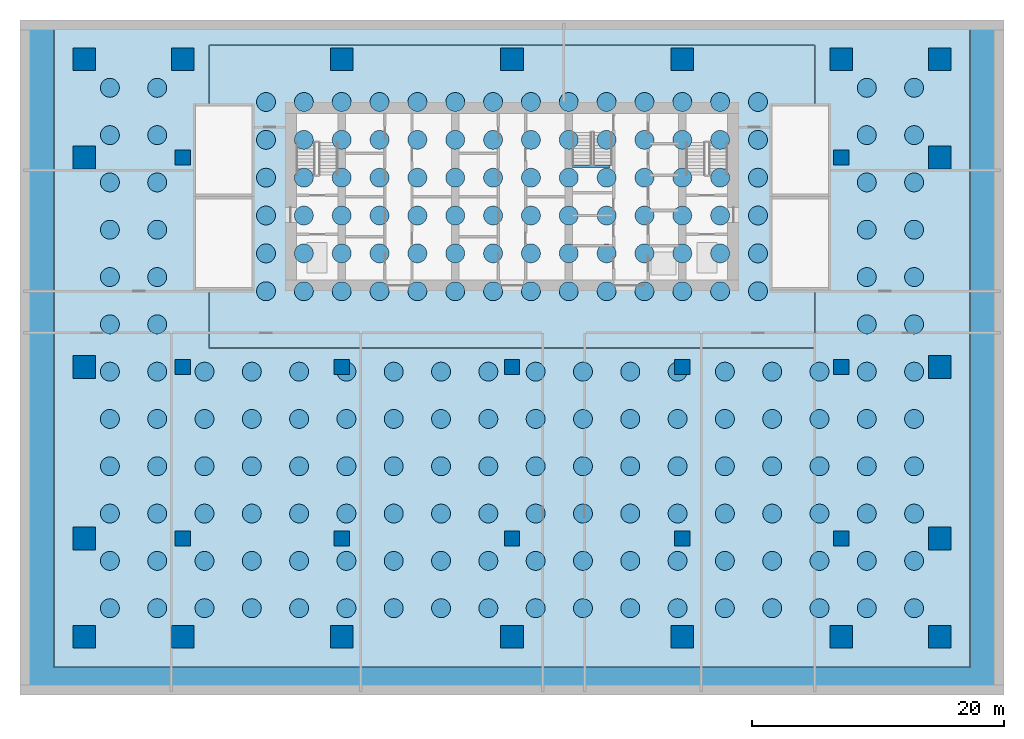
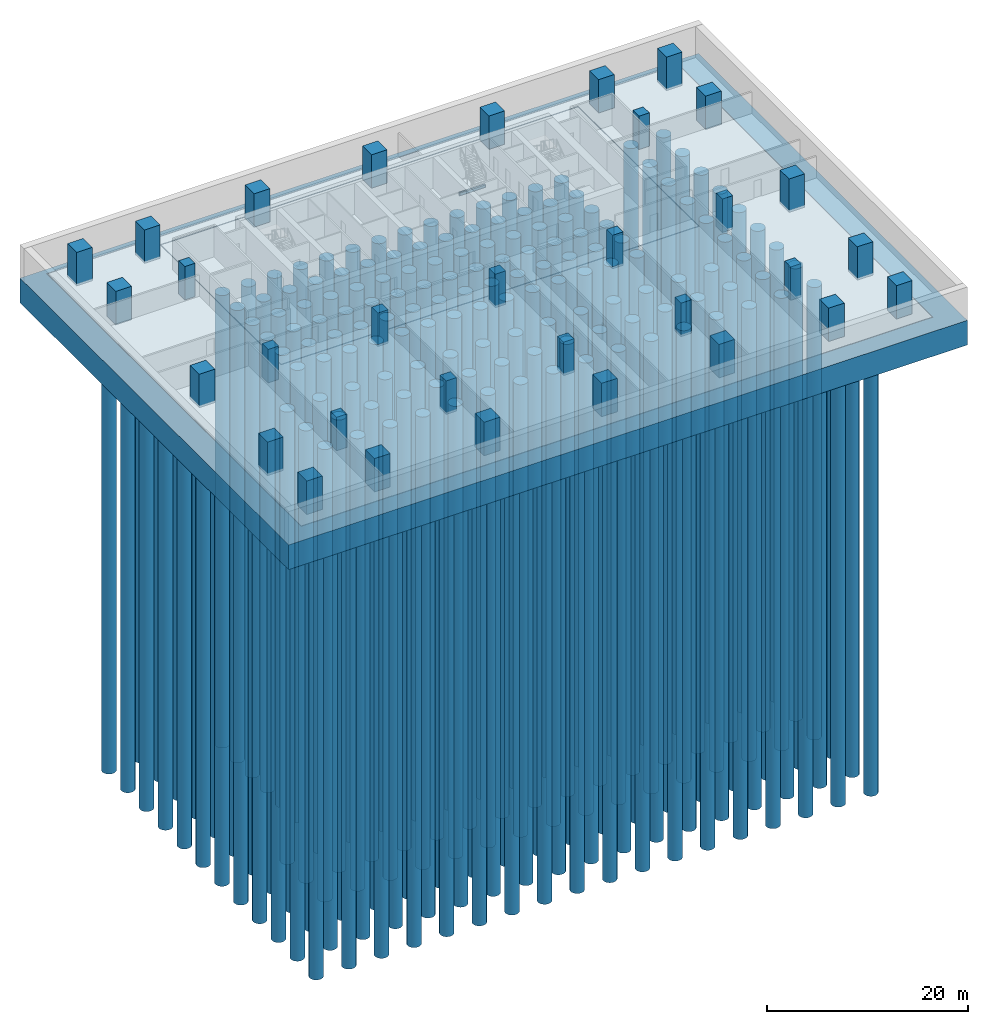
# One storey, part 1 of 10: 216 piles, 32 columns, 3 footings, 1 beam.
"""IFC4 building model written with IfcOpenShell, lengths in metres."""

from ifc_helpers import new_model, si_unit, direction, frame, origin, origin_2d, place, context, subcontext, project, spatial, polyline, rectangle, circle, outline, extrude, material, layer, layer_set, material_profile, profile_set, type_object, element, save


model = new_model("IFC4")

# Units and contexts
model_context = context("Model", 3, precision=1e-05, world=origin(), true_north=direction((0.0, 1.0)))
body_context = subcontext(model_context, "Body", "Model", "MODEL_VIEW")
ifc_project = project(units=[si_unit("LENGTHUNIT", "METRE"), si_unit("AREAUNIT", "SQUARE_METRE"), si_unit("VOLUMEUNIT", "CUBIC_METRE"), si_unit("PLANEANGLEUNIT", "RADIAN"), si_unit("MASSUNIT", "GRAM", prefix="KILO")], contexts=[model_context])

# Site, building, storey
site_placement = place(None, origin())
site = spatial("IfcSite", under=ifc_project, at=site_placement, CompositionType="ELEMENT")
building_placement = place(site_placement, origin())
building = spatial("IfcBuilding", under=site, at=building_placement, Name="Rattan Terrace Tower", CompositionType="ELEMENT")
storey_placement = place(building_placement, frame((0.0, 0.0, -13.5)))
storey = spatial("IfcBuildingStorey", under=building, at=storey_placement, Name="B3", CompositionType="ELEMENT", Elevation=-13.5)

# Piles
ifc_material_1 = material(Name="Concrete C35/45", Category="concrete")
ifc_material_profile_1 = material_profile(ifc_material_1, circle(Radius=0.75, at=origin_2d()), Name="PILE D1500")
ifc_profile_set_1 = profile_set([ifc_material_profile_1], Name="Concrete C35/45")
pile_type = type_object("IfcPileType", Name="Frame bored pile D1500", PredefinedType="BORED", material=ifc_profile_set_1)
for number, where, z_axis, x_axis, name in (
    (1, (-19.5, -7.5, -4.75), (0.0, 0.0, -1.0), (1.0, 0.0, 0.0), "pile-B3-001"),
    (2, (-16.5, -7.5, -4.75), (0.0, 0.0, -1.0), (1.0, 0.0, 0.0), "pile-B3-002"),
    (3, (-13.5, -7.5, -4.75), (0.0, 0.0, -1.0), (1.0, 0.0, 0.0), "pile-B3-003"),
    (4, (-10.5, -7.5, -4.75), (0.0, 0.0, -1.0), (1.0, 0.0, 0.0), "pile-B3-004"),
    (5, (-7.5, -7.5, -4.75), (0.0, 0.0, -1.0), (1.0, 0.0, 0.0), "pile-B3-005"),
    (6, (-4.5, -7.5, -4.75), (0.0, 0.0, -1.0), (1.0, 0.0, 0.0), "pile-B3-006"),
    (7, (-1.5, -7.5, -4.75), (0.0, 0.0, -1.0), (1.0, 0.0, 0.0), "pile-B3-007"),
    (8, (1.5, -7.5, -4.75), (0.0, 0.0, -1.0), (1.0, 0.0, 0.0), "pile-B3-008"),
    (9, (4.5, -7.5, -4.75), (0.0, 0.0, -1.0), (1.0, 0.0, 0.0), "pile-B3-009"),
    (10, (7.5, -7.5, -4.75), (0.0, 0.0, -1.0), (1.0, 0.0, 0.0), "pile-B3-010"),
    (11, (10.5, -7.5, -4.75), (0.0, 0.0, -1.0), (1.0, 0.0, 0.0), "pile-B3-011"),
    (12, (13.5, -7.5, -4.75), (0.0, 0.0, -1.0), (1.0, 0.0, 0.0), "pile-B3-012"),
    (13, (16.5, -7.5, -4.75), (0.0, 0.0, -1.0), (1.0, 0.0, 0.0), "pile-B3-013"),
    (14, (19.5, -7.5, -4.75), (0.0, 0.0, -1.0), (1.0, 0.0, 0.0), "pile-B3-014"),
    (15, (-19.5, -4.5, -4.75), (0.0, 0.0, -1.0), (1.0, 0.0, 0.0), "pile-B3-015"),
    (16, (-16.5, -4.5, -4.75), (0.0, 0.0, -1.0), (1.0, 0.0, 0.0), "pile-B3-016"),
    (17, (-13.5, -4.5, -4.75), (0.0, 0.0, -1.0), (1.0, 0.0, 0.0), "pile-B3-017"),
    (18, (-10.5, -4.5, -4.75), (0.0, 0.0, -1.0), (1.0, 0.0, 0.0), "pile-B3-018"),
    (19, (-7.5, -4.5, -4.75), (0.0, 0.0, -1.0), (1.0, 0.0, 0.0), "pile-B3-019"),
    (20, (-4.5, -4.5, -4.75), (0.0, 0.0, -1.0), (1.0, 0.0, 0.0), "pile-B3-020"),
    (21, (-1.5, -4.5, -4.75), (0.0, 0.0, -1.0), (1.0, 0.0, 0.0), "pile-B3-021"),
    (22, (1.5, -4.5, -4.75), (0.0, 0.0, -1.0), (1.0, 0.0, 0.0), "pile-B3-022"),
    (23, (4.5, -4.5, -4.75), (0.0, 0.0, -1.0), (1.0, 0.0, 0.0), "pile-B3-023"),
    (24, (7.5, -4.5, -4.75), (0.0, 0.0, -1.0), (1.0, 0.0, 0.0), "pile-B3-024"),
    (25, (10.5, -4.5, -4.75), (0.0, 0.0, -1.0), (1.0, 0.0, 0.0), "pile-B3-025"),
    (26, (13.5, -4.5, -4.75), (0.0, 0.0, -1.0), (1.0, 0.0, 0.0), "pile-B3-026"),
    (27, (16.5, -4.5, -4.75), (0.0, 0.0, -1.0), (1.0, 0.0, 0.0), "pile-B3-027"),
    (28, (19.5, -4.5, -4.75), (0.0, 0.0, -1.0), (1.0, 0.0, 0.0), "pile-B3-028"),
    (29, (-19.5, -1.5, -4.75), (0.0, 0.0, -1.0), (1.0, 0.0, 0.0), "pile-B3-029"),
    (30, (-16.5, -1.5, -4.75), (0.0, 0.0, -1.0), (1.0, 0.0, 0.0), "pile-B3-030"),
    (31, (-13.5, -1.5, -4.75), (0.0, 0.0, -1.0), (1.0, 0.0, 0.0), "pile-B3-031"),
    (32, (-10.5, -1.5, -4.75), (0.0, 0.0, -1.0), (1.0, 0.0, 0.0), "pile-B3-032"),
    (33, (-7.5, -1.5, -4.75), (0.0, 0.0, -1.0), (1.0, 0.0, 0.0), "pile-B3-033"),
    (34, (-4.5, -1.5, -4.75), (0.0, 0.0, -1.0), (1.0, 0.0, 0.0), "pile-B3-034"),
    (35, (-1.5, -1.5, -4.75), (0.0, 0.0, -1.0), (1.0, 0.0, 0.0), "pile-B3-035"),
    (36, (1.5, -1.5, -4.75), (0.0, 0.0, -1.0), (1.0, 0.0, 0.0), "pile-B3-036"),
    (37, (4.5, -1.5, -4.75), (0.0, 0.0, -1.0), (1.0, 0.0, 0.0), "pile-B3-037"),
    (38, (7.5, -1.5, -4.75), (0.0, 0.0, -1.0), (1.0, 0.0, 0.0), "pile-B3-038"),
    (39, (10.5, -1.5, -4.75), (0.0, 0.0, -1.0), (1.0, 0.0, 0.0), "pile-B3-039"),
    (40, (13.5, -1.5, -4.75), (0.0, 0.0, -1.0), (1.0, 0.0, 0.0), "pile-B3-040"),
    (41, (16.5, -1.5, -4.75), (0.0, 0.0, -1.0), (1.0, 0.0, 0.0), "pile-B3-041"),
    (42, (19.5, -1.5, -4.75), (0.0, 0.0, -1.0), (1.0, 0.0, 0.0), "pile-B3-042"),
    (43, (-19.5, 1.5, -4.75), (0.0, 0.0, -1.0), (1.0, 0.0, 0.0), "pile-B3-043"),
    (44, (-16.5, 1.5, -4.75), (0.0, 0.0, -1.0), (1.0, 0.0, 0.0), "pile-B3-044"),
    (45, (-13.5, 1.5, -4.75), (0.0, 0.0, -1.0), (1.0, 0.0, 0.0), "pile-B3-045"),
    (46, (-10.5, 1.5, -4.75), (0.0, 0.0, -1.0), (1.0, 0.0, 0.0), "pile-B3-046"),
    (47, (-7.5, 1.5, -4.75), (0.0, 0.0, -1.0), (1.0, 0.0, 0.0), "pile-B3-047"),
    (48, (-4.5, 1.5, -4.75), (0.0, 0.0, -1.0), (1.0, 0.0, 0.0), "pile-B3-048"),
    (49, (-1.5, 1.5, -4.75), (0.0, 0.0, -1.0), (1.0, 0.0, 0.0), "pile-B3-049"),
    (50, (1.5, 1.5, -4.75), (0.0, 0.0, -1.0), (1.0, 0.0, 0.0), "pile-B3-050"),
    (51, (4.5, 1.5, -4.75), (0.0, 0.0, -1.0), (1.0, 0.0, 0.0), "pile-B3-051"),
    (52, (7.5, 1.5, -4.75), (0.0, 0.0, -1.0), (1.0, 0.0, 0.0), "pile-B3-052"),
    (53, (10.5, 1.5, -4.75), (0.0, 0.0, -1.0), (1.0, 0.0, 0.0), "pile-B3-053"),
    (54, (13.5, 1.5, -4.75), (0.0, 0.0, -1.0), (1.0, 0.0, 0.0), "pile-B3-054"),
    (55, (16.5, 1.5, -4.75), (0.0, 0.0, -1.0), (1.0, 0.0, 0.0), "pile-B3-055"),
    (56, (19.5, 1.5, -4.75), (0.0, 0.0, -1.0), (1.0, 0.0, 0.0), "pile-B3-056"),
    (57, (-19.5, 4.5, -4.75), (0.0, 0.0, -1.0), (1.0, 0.0, 0.0), "pile-B3-057"),
    (58, (-16.5, 4.5, -4.75), (0.0, 0.0, -1.0), (1.0, 0.0, 0.0), "pile-B3-058"),
    (59, (-13.5, 4.5, -4.75), (0.0, 0.0, -1.0), (1.0, 0.0, 0.0), "pile-B3-059"),
    (60, (-10.5, 4.5, -4.75), (0.0, 0.0, -1.0), (1.0, 0.0, 0.0), "pile-B3-060"),
    (61, (-7.5, 4.5, -4.75), (0.0, 0.0, -1.0), (1.0, 0.0, 0.0), "pile-B3-061"),
    (62, (-4.5, 4.5, -4.75), (0.0, 0.0, -1.0), (1.0, 0.0, 0.0), "pile-B3-062"),
    (63, (-1.5, 4.5, -4.75), (0.0, 0.0, -1.0), (1.0, 0.0, 0.0), "pile-B3-063"),
    (64, (1.5, 4.5, -4.75), (0.0, 0.0, -1.0), (1.0, 0.0, 0.0), "pile-B3-064"),
    (65, (4.5, 4.5, -4.75), (0.0, 0.0, -1.0), (1.0, 0.0, 0.0), "pile-B3-065"),
    (66, (7.5, 4.5, -4.75), (0.0, 0.0, -1.0), (1.0, 0.0, 0.0), "pile-B3-066"),
    (67, (10.5, 4.5, -4.75), (0.0, 0.0, -1.0), (1.0, 0.0, 0.0), "pile-B3-067"),
    (68, (13.5, 4.5, -4.75), (0.0, 0.0, -1.0), (1.0, 0.0, 0.0), "pile-B3-068"),
    (69, (16.5, 4.5, -4.75), (0.0, 0.0, -1.0), (1.0, 0.0, 0.0), "pile-B3-069"),
    (70, (19.5, 4.5, -4.75), (0.0, 0.0, -1.0), (1.0, 0.0, 0.0), "pile-B3-070"),
    (71, (-19.5, 7.5, -4.75), (0.0, 0.0, -1.0), (1.0, 0.0, 0.0), "pile-B3-071"),
    (72, (-16.5, 7.5, -4.75), (0.0, 0.0, -1.0), (1.0, 0.0, 0.0), "pile-B3-072"),
    (73, (-13.5, 7.5, -4.75), (0.0, 0.0, -1.0), (1.0, 0.0, 0.0), "pile-B3-073"),
    (74, (-10.5, 7.5, -4.75), (0.0, 0.0, -1.0), (1.0, 0.0, 0.0), "pile-B3-074"),
    (75, (-7.5, 7.5, -4.75), (0.0, 0.0, -1.0), (1.0, 0.0, 0.0), "pile-B3-075"),
    (76, (-4.5, 7.5, -4.75), (0.0, 0.0, -1.0), (1.0, 0.0, 0.0), "pile-B3-076"),
    (77, (-1.5, 7.5, -4.75), (0.0, 0.0, -1.0), (1.0, 0.0, 0.0), "pile-B3-077"),
    (78, (1.5, 7.5, -4.75), (0.0, 0.0, -1.0), (1.0, 0.0, 0.0), "pile-B3-078"),
    (79, (4.5, 7.5, -4.75), (0.0, 0.0, -1.0), (1.0, 0.0, 0.0), "pile-B3-079"),
    (80, (7.5, 7.5, -4.75), (0.0, 0.0, -1.0), (1.0, 0.0, 0.0), "pile-B3-080"),
    (81, (10.5, 7.5, -4.75), (0.0, 0.0, -1.0), (1.0, 0.0, 0.0), "pile-B3-081"),
    (82, (13.5, 7.5, -4.75), (0.0, 0.0, -1.0), (1.0, 0.0, 0.0), "pile-B3-082"),
    (83, (16.5, 7.5, -4.75), (0.0, 0.0, -1.0), (1.0, 0.0, 0.0), "pile-B3-083"),
    (84, (19.5, 7.5, -4.75), (0.0, 0.0, -1.0), (1.0, 0.0, 0.0), "pile-B3-084"),
    (85, (-31.875, -32.625, -4.25), (0.0, 0.0, -1.0), (1.0, 0.0, 0.0), "pile-B3-085"),
    (86, (-28.125, -32.625, -4.25), (0.0, 0.0, -1.0), (1.0, 0.0, 0.0), "pile-B3-086"),
    (87, (-24.375, -32.625, -4.25), (0.0, 0.0, -1.0), (1.0, 0.0, 0.0), "pile-B3-087"),
    (88, (-20.625, -32.625, -4.25), (0.0, 0.0, -1.0), (1.0, 0.0, 0.0), "pile-B3-088"),
    (89, (-16.875, -32.625, -4.25), (0.0, 0.0, -1.0), (1.0, 0.0, 0.0), "pile-B3-089"),
    (90, (-13.125, -32.625, -4.25), (0.0, 0.0, -1.0), (1.0, 0.0, 0.0), "pile-B3-090"),
    (91, (-9.375, -32.625, -4.25), (0.0, 0.0, -1.0), (1.0, 0.0, 0.0), "pile-B3-091"),
    (92, (-5.625, -32.625, -4.25), (0.0, 0.0, -1.0), (1.0, 0.0, 0.0), "pile-B3-092"),
    (93, (-1.875, -32.625, -4.25), (0.0, 0.0, -1.0), (1.0, 0.0, 0.0), "pile-B3-093"),
    (94, (1.875, -32.625, -4.25), (0.0, 0.0, -1.0), (1.0, 0.0, 0.0), "pile-B3-094"),
    (95, (5.625, -32.625, -4.25), (0.0, 0.0, -1.0), (1.0, 0.0, 0.0), "pile-B3-095"),
    (96, (9.375, -32.625, -4.25), (0.0, 0.0, -1.0), (1.0, 0.0, 0.0), "pile-B3-096"),
    (97, (13.125, -32.625, -4.25), (0.0, 0.0, -1.0), (1.0, 0.0, 0.0), "pile-B3-097"),
    (98, (16.875, -32.625, -4.25), (0.0, 0.0, -1.0), (1.0, 0.0, 0.0), "pile-B3-098"),
    (99, (20.625, -32.625, -4.25), (0.0, 0.0, -1.0), (1.0, 0.0, 0.0), "pile-B3-099"),
    (100, (24.375, -32.625, -4.25), (0.0, 0.0, -1.0), (1.0, 0.0, 0.0), "pile-B3-100"),
    (101, (28.125, -32.625, -4.25), (0.0, 0.0, -1.0), (1.0, 0.0, 0.0), "pile-B3-101"),
    (102, (31.875, -32.625, -4.25), (0.0, 0.0, -1.0), (1.0, 0.0, 0.0), "pile-B3-102"),
    (103, (-31.875, -28.875, -4.25), (0.0, 0.0, -1.0), (1.0, 0.0, 0.0), "pile-B3-103"),
    (104, (-28.125, -28.875, -4.25), (0.0, 0.0, -1.0), (1.0, 0.0, 0.0), "pile-B3-104"),
    (105, (-24.375, -28.875, -4.25), (0.0, 0.0, -1.0), (1.0, 0.0, 0.0), "pile-B3-105"),
    (106, (-20.625, -28.875, -4.25), (0.0, 0.0, -1.0), (1.0, 0.0, 0.0), "pile-B3-106"),
    (107, (-16.875, -28.875, -4.25), (0.0, 0.0, -1.0), (1.0, 0.0, 0.0), "pile-B3-107"),
    (108, (-13.125, -28.875, -4.25), (0.0, 0.0, -1.0), (1.0, 0.0, 0.0), "pile-B3-108"),
    (109, (-9.375, -28.875, -4.25), (0.0, 0.0, -1.0), (1.0, 0.0, 0.0), "pile-B3-109"),
    (110, (-5.625, -28.875, -4.25), (0.0, 0.0, -1.0), (1.0, 0.0, 0.0), "pile-B3-110"),
    (111, (-1.875, -28.875, -4.25), (0.0, 0.0, -1.0), (1.0, 0.0, 0.0), "pile-B3-111"),
    (112, (1.875, -28.875, -4.25), (0.0, 0.0, -1.0), (1.0, 0.0, 0.0), "pile-B3-112"),
    (113, (5.625, -28.875, -4.25), (0.0, 0.0, -1.0), (1.0, 0.0, 0.0), "pile-B3-113"),
    (114, (9.375, -28.875, -4.25), (0.0, 0.0, -1.0), (1.0, 0.0, 0.0), "pile-B3-114"),
    (115, (13.125, -28.875, -4.25), (0.0, 0.0, -1.0), (1.0, 0.0, 0.0), "pile-B3-115"),
    (116, (16.875, -28.875, -4.25), (0.0, 0.0, -1.0), (1.0, 0.0, 0.0), "pile-B3-116"),
    (117, (20.625, -28.875, -4.25), (0.0, 0.0, -1.0), (1.0, 0.0, 0.0), "pile-B3-117"),
    (118, (24.375, -28.875, -4.25), (0.0, 0.0, -1.0), (1.0, 0.0, 0.0), "pile-B3-118"),
    (119, (28.125, -28.875, -4.25), (0.0, 0.0, -1.0), (1.0, 0.0, 0.0), "pile-B3-119"),
    (120, (31.875, -28.875, -4.25), (0.0, 0.0, -1.0), (1.0, 0.0, 0.0), "pile-B3-120"),
    (121, (-31.875, -25.125, -4.25), (0.0, 0.0, -1.0), (1.0, 0.0, 0.0), "pile-B3-121"),
    (122, (-28.125, -25.125, -4.25), (0.0, 0.0, -1.0), (1.0, 0.0, 0.0), "pile-B3-122"),
    (123, (-24.375, -25.125, -4.25), (0.0, 0.0, -1.0), (1.0, 0.0, 0.0), "pile-B3-123"),
    (124, (-20.625, -25.125, -4.25), (0.0, 0.0, -1.0), (1.0, 0.0, 0.0), "pile-B3-124"),
    (125, (-16.875, -25.125, -4.25), (0.0, 0.0, -1.0), (1.0, 0.0, 0.0), "pile-B3-125"),
    (126, (-13.125, -25.125, -4.25), (0.0, 0.0, -1.0), (1.0, 0.0, 0.0), "pile-B3-126"),
    (127, (-9.375, -25.125, -4.25), (0.0, 0.0, -1.0), (1.0, 0.0, 0.0), "pile-B3-127"),
    (128, (-5.625, -25.125, -4.25), (0.0, 0.0, -1.0), (1.0, 0.0, 0.0), "pile-B3-128"),
    (129, (-1.875, -25.125, -4.25), (0.0, 0.0, -1.0), (1.0, 0.0, 0.0), "pile-B3-129"),
    (130, (1.875, -25.125, -4.25), (0.0, 0.0, -1.0), (1.0, 0.0, 0.0), "pile-B3-130"),
    (131, (5.625, -25.125, -4.25), (0.0, 0.0, -1.0), (1.0, 0.0, 0.0), "pile-B3-131"),
    (132, (9.375, -25.125, -4.25), (0.0, 0.0, -1.0), (1.0, 0.0, 0.0), "pile-B3-132"),
    (133, (13.125, -25.125, -4.25), (0.0, 0.0, -1.0), (1.0, 0.0, 0.0), "pile-B3-133"),
    (134, (16.875, -25.125, -4.25), (0.0, 0.0, -1.0), (1.0, 0.0, 0.0), "pile-B3-134"),
    (135, (20.625, -25.125, -4.25), (0.0, 0.0, -1.0), (1.0, 0.0, 0.0), "pile-B3-135"),
    (136, (24.375, -25.125, -4.25), (0.0, 0.0, -1.0), (1.0, 0.0, 0.0), "pile-B3-136"),
    (137, (28.125, -25.125, -4.25), (0.0, 0.0, -1.0), (1.0, 0.0, 0.0), "pile-B3-137"),
    (138, (31.875, -25.125, -4.25), (0.0, 0.0, -1.0), (1.0, 0.0, 0.0), "pile-B3-138"),
    (139, (-31.875, -21.375, -4.25), (0.0, 0.0, -1.0), (1.0, 0.0, 0.0), "pile-B3-139"),
    (140, (-28.125, -21.375, -4.25), (0.0, 0.0, -1.0), (1.0, 0.0, 0.0), "pile-B3-140"),
    (141, (-24.375, -21.375, -4.25), (0.0, 0.0, -1.0), (1.0, 0.0, 0.0), "pile-B3-141"),
    (142, (-20.625, -21.375, -4.25), (0.0, 0.0, -1.0), (1.0, 0.0, 0.0), "pile-B3-142"),
    (143, (-16.875, -21.375, -4.25), (0.0, 0.0, -1.0), (1.0, 0.0, 0.0), "pile-B3-143"),
    (144, (-13.125, -21.375, -4.25), (0.0, 0.0, -1.0), (1.0, 0.0, 0.0), "pile-B3-144"),
    (145, (-9.375, -21.375, -4.25), (0.0, 0.0, -1.0), (1.0, 0.0, 0.0), "pile-B3-145"),
    (146, (-5.625, -21.375, -4.25), (0.0, 0.0, -1.0), (1.0, 0.0, 0.0), "pile-B3-146"),
    (147, (-1.875, -21.375, -4.25), (0.0, 0.0, -1.0), (1.0, 0.0, 0.0), "pile-B3-147"),
    (148, (1.875, -21.375, -4.25), (0.0, 0.0, -1.0), (1.0, 0.0, 0.0), "pile-B3-148"),
    (149, (5.625, -21.375, -4.25), (0.0, 0.0, -1.0), (1.0, 0.0, 0.0), "pile-B3-149"),
    (150, (9.375, -21.375, -4.25), (0.0, 0.0, -1.0), (1.0, 0.0, 0.0), "pile-B3-150"),
    (151, (13.125, -21.375, -4.25), (0.0, 0.0, -1.0), (1.0, 0.0, 0.0), "pile-B3-151"),
    (152, (16.875, -21.375, -4.25), (0.0, 0.0, -1.0), (1.0, 0.0, 0.0), "pile-B3-152"),
    (153, (20.625, -21.375, -4.25), (0.0, 0.0, -1.0), (1.0, 0.0, 0.0), "pile-B3-153"),
    (154, (24.375, -21.375, -4.25), (0.0, 0.0, -1.0), (1.0, 0.0, 0.0), "pile-B3-154"),
    (155, (28.125, -21.375, -4.25), (0.0, 0.0, -1.0), (1.0, 0.0, 0.0), "pile-B3-155"),
    (156, (31.875, -21.375, -4.25), (0.0, 0.0, -1.0), (1.0, 0.0, 0.0), "pile-B3-156"),
    (157, (-31.875, -17.625, -4.25), (0.0, 0.0, -1.0), (1.0, 0.0, 0.0), "pile-B3-157"),
    (158, (-28.125, -17.625, -4.25), (0.0, 0.0, -1.0), (1.0, 0.0, 0.0), "pile-B3-158"),
    (159, (-24.375, -17.625, -4.25), (0.0, 0.0, -1.0), (1.0, 0.0, 0.0), "pile-B3-159"),
    (160, (-20.625, -17.625, -4.25), (0.0, 0.0, -1.0), (1.0, 0.0, 0.0), "pile-B3-160"),
    (161, (-16.875, -17.625, -4.25), (0.0, 0.0, -1.0), (1.0, 0.0, 0.0), "pile-B3-161"),
    (162, (-13.125, -17.625, -4.25), (0.0, 0.0, -1.0), (1.0, 0.0, 0.0), "pile-B3-162"),
    (163, (-9.375, -17.625, -4.25), (0.0, 0.0, -1.0), (1.0, 0.0, 0.0), "pile-B3-163"),
    (164, (-5.625, -17.625, -4.25), (0.0, 0.0, -1.0), (1.0, 0.0, 0.0), "pile-B3-164"),
    (165, (-1.875, -17.625, -4.25), (0.0, 0.0, -1.0), (1.0, 0.0, 0.0), "pile-B3-165"),
    (166, (1.875, -17.625, -4.25), (0.0, 0.0, -1.0), (1.0, 0.0, 0.0), "pile-B3-166"),
    (167, (5.625, -17.625, -4.25), (0.0, 0.0, -1.0), (1.0, 0.0, 0.0), "pile-B3-167"),
    (168, (9.375, -17.625, -4.25), (0.0, 0.0, -1.0), (1.0, 0.0, 0.0), "pile-B3-168"),
    (169, (13.125, -17.625, -4.25), (0.0, 0.0, -1.0), (1.0, 0.0, 0.0), "pile-B3-169"),
    (170, (16.875, -17.625, -4.25), (0.0, 0.0, -1.0), (1.0, 0.0, 0.0), "pile-B3-170"),
    (171, (20.625, -17.625, -4.25), (0.0, 0.0, -1.0), (1.0, 0.0, 0.0), "pile-B3-171"),
    (172, (24.375, -17.625, -4.25), (0.0, 0.0, -1.0), (1.0, 0.0, 0.0), "pile-B3-172"),
    (173, (28.125, -17.625, -4.25), (0.0, 0.0, -1.0), (1.0, 0.0, 0.0), "pile-B3-173"),
    (174, (31.875, -17.625, -4.25), (0.0, 0.0, -1.0), (1.0, 0.0, 0.0), "pile-B3-174"),
    (175, (-31.875, -13.875, -4.25), (0.0, 0.0, -1.0), (1.0, 0.0, 0.0), "pile-B3-175"),
    (176, (-28.125, -13.875, -4.25), (0.0, 0.0, -1.0), (1.0, 0.0, 0.0), "pile-B3-176"),
    (177, (-24.375, -13.875, -4.25), (0.0, 0.0, -1.0), (1.0, 0.0, 0.0), "pile-B3-177"),
    (178, (-20.625, -13.875, -4.25), (0.0, 0.0, -1.0), (1.0, 0.0, 0.0), "pile-B3-178"),
    (179, (-16.875, -13.875, -4.25), (0.0, 0.0, -1.0), (1.0, 0.0, 0.0), "pile-B3-179"),
    (180, (-13.125, -13.875, -4.25), (0.0, 0.0, -1.0), (1.0, 0.0, 0.0), "pile-B3-180"),
    (181, (-9.375, -13.875, -4.25), (0.0, 0.0, -1.0), (1.0, 0.0, 0.0), "pile-B3-181"),
    (182, (-5.625, -13.875, -4.25), (0.0, 0.0, -1.0), (1.0, 0.0, 0.0), "pile-B3-182"),
    (183, (-1.875, -13.875, -4.25), (0.0, 0.0, -1.0), (1.0, 0.0, 0.0), "pile-B3-183"),
    (184, (1.875, -13.875, -4.25), (0.0, 0.0, -1.0), (1.0, 0.0, 0.0), "pile-B3-184"),
    (185, (5.625, -13.875, -4.25), (0.0, 0.0, -1.0), (1.0, 0.0, 0.0), "pile-B3-185"),
    (186, (9.375, -13.875, -4.25), (0.0, 0.0, -1.0), (1.0, 0.0, 0.0), "pile-B3-186"),
    (187, (13.125, -13.875, -4.25), (0.0, 0.0, -1.0), (1.0, 0.0, 0.0), "pile-B3-187"),
    (188, (16.875, -13.875, -4.25), (0.0, 0.0, -1.0), (1.0, 0.0, 0.0), "pile-B3-188"),
    (189, (20.625, -13.875, -4.25), (0.0, 0.0, -1.0), (1.0, 0.0, 0.0), "pile-B3-189"),
    (190, (24.375, -13.875, -4.25), (0.0, 0.0, -1.0), (1.0, 0.0, 0.0), "pile-B3-190"),
    (191, (28.125, -13.875, -4.25), (0.0, 0.0, -1.0), (1.0, 0.0, 0.0), "pile-B3-191"),
    (192, (31.875, -13.875, -4.25), (0.0, 0.0, -1.0), (1.0, 0.0, 0.0), "pile-B3-192"),
    (193, (-31.875, -10.125, -4.25), (0.0, 0.0, -1.0), (1.0, 0.0, 0.0), "pile-B3-193"),
    (194, (-28.125, -10.125, -4.25), (0.0, 0.0, -1.0), (1.0, 0.0, 0.0), "pile-B3-194"),
    (195, (28.125, -10.125, -4.25), (0.0, 0.0, -1.0), (1.0, 0.0, 0.0), "pile-B3-195"),
    (196, (31.875, -10.125, -4.25), (0.0, 0.0, -1.0), (1.0, 0.0, 0.0), "pile-B3-196"),
    (197, (-31.875, -6.375, -4.25), (0.0, 0.0, -1.0), (1.0, 0.0, 0.0), "pile-B3-197"),
    (198, (-28.125, -6.375, -4.25), (0.0, 0.0, -1.0), (1.0, 0.0, 0.0), "pile-B3-198"),
    (199, (28.125, -6.375, -4.25), (0.0, 0.0, -1.0), (1.0, 0.0, 0.0), "pile-B3-199"),
    (200, (31.875, -6.375, -4.25), (0.0, 0.0, -1.0), (1.0, 0.0, 0.0), "pile-B3-200"),
    (201, (-31.875, -2.625, -4.25), (0.0, 0.0, -1.0), (1.0, 0.0, 0.0), "pile-B3-201"),
    (202, (-28.125, -2.625, -4.25), (0.0, 0.0, -1.0), (1.0, 0.0, 0.0), "pile-B3-202"),
    (203, (28.125, -2.625, -4.25), (0.0, 0.0, -1.0), (1.0, 0.0, 0.0), "pile-B3-203"),
    (204, (31.875, -2.625, -4.25), (0.0, 0.0, -1.0), (1.0, 0.0, 0.0), "pile-B3-204"),
    (205, (-31.875, 1.125, -4.25), (0.0, 0.0, -1.0), (1.0, 0.0, 0.0), "pile-B3-205"),
    (206, (-28.125, 1.125, -4.25), (0.0, 0.0, -1.0), (1.0, 0.0, 0.0), "pile-B3-206"),
    (207, (28.125, 1.125, -4.25), (0.0, 0.0, -1.0), (1.0, 0.0, 0.0), "pile-B3-207"),
    (208, (31.875, 1.125, -4.25), (0.0, 0.0, -1.0), (1.0, 0.0, 0.0), "pile-B3-208"),
    (209, (-31.875, 4.875, -4.25), (0.0, 0.0, -1.0), (1.0, 0.0, 0.0), "pile-B3-209"),
    (210, (-28.125, 4.875, -4.25), (0.0, 0.0, -1.0), (1.0, 0.0, 0.0), "pile-B3-210"),
    (211, (28.125, 4.875, -4.25), (0.0, 0.0, -1.0), (1.0, 0.0, 0.0), "pile-B3-211"),
    (212, (31.875, 4.875, -4.25), (0.0, 0.0, -1.0), (1.0, 0.0, 0.0), "pile-B3-212"),
    (213, (-31.875, 8.625, -4.25), (0.0, 0.0, -1.0), (1.0, 0.0, 0.0), "pile-B3-213"),
    (214, (-28.125, 8.625, -4.25), (0.0, 0.0, -1.0), (1.0, 0.0, 0.0), "pile-B3-214"),
    (215, (28.125, 8.625, -4.25), (0.0, 0.0, -1.0), (1.0, 0.0, 0.0), "pile-B3-215"),
    (216, (31.875, 8.625, -4.25), (0.0, 0.0, -1.0), (1.0, 0.0, 0.0), "pile-B3-216"),
):
    element("IfcPile", number, at=place(storey_placement, frame(where, z_axis=z_axis, x_axis=x_axis)), inside=storey, type_object=pile_type, Name=name, PredefinedType="BORED", context=body_context, shape_type="SweptSolid", body=[
        extrude(circle(Radius=0.75, at=origin_2d()), origin(), (0.0, 0.0, 1.0), 55.0),
    ])

# Footings
ifc_material_2 = material(Name="Concrete C40/50", Category="concrete")
ifc_layer_1 = layer(ifc_material_2, 4.5)
ifc_layer_set_1 = layer_set([ifc_layer_1], Name="Frame core raft 4500")
footing_type_1 = type_object("IfcFootingType", Name="Frame core raft 4500", PredefinedType="PAD_FOOTING", material=ifc_layer_set_1)
footing_1_placement = place(storey_placement, frame((0.0, 0.0, -4.75)))
element("IfcFooting", 217, at=footing_1_placement, inside=storey, type_object=footing_type_1, Name="Core raft", PredefinedType="PAD_FOOTING", context=body_context, shape_type="SweptSolid", body=[
    extrude(outline(polyline([(23.97509765625, -11.97509765625), (23.97509765625, 11.97509765625), (-23.97509765625, 11.97509765625), (-23.97509765625, -11.97509765625), (23.97509765625, -11.97509765625)])), origin(), (0.0, 0.0, 1.0), 4.5),
])
ifc_material_3 = material(Name="Concrete C40/50", Category="concrete")
ifc_layer_2 = layer(ifc_material_3, 3.0)
ifc_layer_set_2 = layer_set([ifc_layer_2], Name="Frame podium raft 3000")
footing_type_2 = type_object("IfcFootingType", Name="Frame podium raft 3000", PredefinedType="PAD_FOOTING", material=ifc_layer_set_2)
footing_2_placement = place(storey_placement, frame((0.0, 0.0, -3.25)))
element("IfcFooting", 218, at=footing_2_placement, inside=storey, type_object=footing_type_2, Name="Podium raft", PredefinedType="PAD_FOOTING", context=body_context, shape_type="SweptSolid", body=[
    extrude(outline(polyline([(-39.0, -39.5), (39.0, -39.5), (39.0, 14.0), (-39.0, 14.0), (-39.0, -39.5)]), holes=[polyline([(36.324951171875, 13.324951171875), (-36.324951171875, 13.324951171875), (-36.324951171875, -37.324951171875), (36.324951171875, -37.324951171875), (36.324951171875, 13.324951171875)])]), origin(), (0.0, 0.0, 1.0), 3.0),
])
ifc_material_4 = material(Name="Concrete C40/50", Category="concrete")
ifc_layer_3 = layer(ifc_material_4, 4.0)
ifc_layer_set_3 = layer_set([ifc_layer_3], Name="Frame tower raft 4000")
footing_type_3 = type_object("IfcFootingType", Name="Frame tower raft 4000", PredefinedType="PAD_FOOTING", material=ifc_layer_set_3)
footing_3_placement = place(storey_placement, frame((0.0, 0.0, -4.25)))
element("IfcFooting", 219, at=footing_3_placement, inside=storey, type_object=footing_type_3, Name="Tower raft", PredefinedType="PAD_FOOTING", context=body_context, shape_type="SweptSolid", body=[
    extrude(outline(polyline([(-36.27490234375, -37.27490234375), (36.27490234375, -37.27490234375), (36.27490234375, 13.27490234375), (-36.27490234375, 13.27490234375), (-36.27490234375, -37.27490234375)]), holes=[polyline([(24.02490234375, 12.02490234375), (-24.02490234375, 12.02490234375), (-24.02490234375, -12.02490234375), (24.02490234375, -12.02490234375), (24.02490234375, 12.02490234375)])]), origin(), (0.0, 0.0, 1.0), 4.0),
])

# Columns
ifc_material_5 = material(Name="Concrete C60/75", Category="concrete")
ifc_material_profile_2 = material_profile(ifc_material_5, rectangle(XDim=1.800048828125, YDim=1.800048828125, at=origin_2d()), Name="CFT 1800x1800")
ifc_profile_set_2 = profile_set([ifc_material_profile_2], Name="Concrete C60/75")
column_type_1 = type_object("IfcColumnType", Name="Frame exoskeleton column CFT 1800x1800", PredefinedType="COLUMN", material=ifc_profile_set_2)
for number, where, z_axis, x_axis, name in (
    (220, (-33.89990234375, -34.89990234375, -0.25), (0.0, 0.0, 1.0), (1.0, 0.0, 0.0), "exo-B3-001"),
    (221, (33.89990234375, -34.89990234375, -0.25), (0.0, 0.0, 1.0), (1.0, 0.0, 0.0), "exo-B3-002"),
    (222, (-33.89990234375, 10.89990234375, -0.25), (0.0, 0.0, 1.0), (1.0, 0.0, 0.0), "exo-B3-003"),
    (223, (33.89990234375, 10.89990234375, -0.25), (0.0, 0.0, 1.0), (1.0, 0.0, 0.0), "exo-B3-004"),
    (224, (-26.10009765625, -34.89990234375, -0.25), (0.0, 0.0, 1.0), (1.0, 0.0, 0.0), "exo-B3-005"),
    (225, (-13.5, -34.89990234375, -0.25), (0.0, 0.0, 1.0), (1.0, 0.0, 0.0), "exo-B3-006"),
    (226, (0.0, -34.89990234375, -0.25), (0.0, 0.0, 1.0), (1.0, 0.0, 0.0), "exo-B3-007"),
    (227, (13.5, -34.89990234375, -0.25), (0.0, 0.0, 1.0), (1.0, 0.0, 0.0), "exo-B3-008"),
    (228, (26.10009765625, -34.89990234375, -0.25), (0.0, 0.0, 1.0), (1.0, 0.0, 0.0), "exo-B3-009"),
    (229, (-33.89990234375, -27.10009765625, -0.25), (0.0, 0.0, 1.0), (0.0, 1.0, 0.0), "exo-B3-010"),
    (230, (33.89990234375, -27.10009765625, -0.25), (0.0, 0.0, 1.0), (0.0, 1.0, 0.0), "exo-B3-011"),
    (231, (-33.89990234375, -13.5, -0.25), (0.0, 0.0, 1.0), (0.0, 1.0, 0.0), "exo-B3-012"),
    (232, (33.89990234375, -13.5, -0.25), (0.0, 0.0, 1.0), (0.0, 1.0, 0.0), "exo-B3-013"),
    (233, (-33.89990234375, 3.10009765625, -0.25), (0.0, 0.0, 1.0), (0.0, 1.0, 0.0), "exo-B3-014"),
    (234, (33.89990234375, 3.10009765625, -0.25), (0.0, 0.0, 1.0), (0.0, 1.0, 0.0), "exo-B3-015"),
    (235, (-26.10009765625, 10.89990234375, -0.25), (0.0, 0.0, 1.0), (1.0, 0.0, 0.0), "exo-B3-016"),
    (236, (-13.5, 10.89990234375, -0.25), (0.0, 0.0, 1.0), (1.0, 0.0, 0.0), "exo-B3-017"),
    (237, (0.0, 10.89990234375, -0.25), (0.0, 0.0, 1.0), (1.0, 0.0, 0.0), "exo-B3-018"),
    (238, (13.5, 10.89990234375, -0.25), (0.0, 0.0, 1.0), (1.0, 0.0, 0.0), "exo-B3-019"),
    (239, (26.10009765625, 10.89990234375, -0.25), (0.0, 0.0, 1.0), (1.0, 0.0, 0.0), "exo-B3-020"),
):
    element("IfcColumn", number, at=place(storey_placement, frame(where, z_axis=z_axis, x_axis=x_axis)), inside=storey, type_object=column_type_1, Name=name, PredefinedType="COLUMN", context=body_context, shape_type="SweptSolid", body=[
        extrude(rectangle(XDim=1.800048828125, YDim=1.800048828125, at=origin_2d()), origin(), (0.0, 0.0, 1.0), 4.050048828125),
    ])
ifc_material_6 = material(Name="Concrete C60/75", Category="concrete")
ifc_material_profile_3 = material_profile(ifc_material_6, rectangle(XDim=1.199951171875, YDim=1.199951171875, at=origin_2d()), Name="RC 1200x1200")
ifc_profile_set_3 = profile_set([ifc_material_profile_3], Name="Concrete C60/75")
column_type_2 = type_object("IfcColumnType", Name="Frame interior column RC 1200x1200", PredefinedType="COLUMN", material=ifc_profile_set_3)
for number, where, z_axis, x_axis, name in (
    (240, (-26.10009765625, -27.10009765625, -0.25), (0.0, 0.0, 1.0), (1.0, 0.0, 0.0), "col-B3-001"),
    (241, (-13.5, -27.10009765625, -0.25), (0.0, 0.0, 1.0), (1.0, 0.0, 0.0), "col-B3-002"),
    (242, (0.0, -27.10009765625, -0.25), (0.0, 0.0, 1.0), (1.0, 0.0, 0.0), "col-B3-003"),
    (243, (13.5, -27.10009765625, -0.25), (0.0, 0.0, 1.0), (1.0, 0.0, 0.0), "col-B3-004"),
    (244, (26.10009765625, -27.10009765625, -0.25), (0.0, 0.0, 1.0), (1.0, 0.0, 0.0), "col-B3-005"),
    (245, (-26.10009765625, -13.5, -0.25), (0.0, 0.0, 1.0), (1.0, 0.0, 0.0), "col-B3-006"),
    (246, (-13.5, -13.5, -0.25), (0.0, 0.0, 1.0), (1.0, 0.0, 0.0), "col-B3-007"),
    (247, (0.0, -13.5, -0.25), (0.0, 0.0, 1.0), (1.0, 0.0, 0.0), "col-B3-008"),
    (248, (13.5, -13.5, -0.25), (0.0, 0.0, 1.0), (1.0, 0.0, 0.0), "col-B3-009"),
    (249, (26.10009765625, -13.5, -0.25), (0.0, 0.0, 1.0), (1.0, 0.0, 0.0), "col-B3-010"),
    (250, (-26.10009765625, 3.10009765625, -0.25), (0.0, 0.0, 1.0), (1.0, 0.0, 0.0), "col-B3-011"),
    (251, (26.10009765625, 3.10009765625, -0.25), (0.0, 0.0, 1.0), (1.0, 0.0, 0.0), "col-B3-012"),
):
    element("IfcColumn", number, at=place(storey_placement, frame(where, z_axis=z_axis, x_axis=x_axis)), inside=storey, type_object=column_type_2, Name=name, PredefinedType="COLUMN", context=body_context, shape_type="SweptSolid", body=[
        extrude(rectangle(XDim=1.199951171875, YDim=1.199951171875, at=origin_2d()), origin(), (0.0, 0.0, 1.0), 4.050048828125),
    ])

# Beam
ifc_material_7 = material(Name="Concrete C40/50", Category="concrete")
ifc_material_profile_4 = material_profile(ifc_material_7, rectangle(XDim=0.199951171875, YDim=0.300048828125, at=origin_2d()), Name="RC 200x300")
ifc_profile_set_4 = profile_set([ifc_material_profile_4], Name="Concrete C40/50")
beam_type = type_object("IfcBeamType", Name="Core landing beam RC 200x300", PredefinedType="BEAM", material=ifc_profile_set_4)
beam_placement = place(storey_placement, frame((4.800048828125, 2.39990234375, 1.64990234375), z_axis=(1.0, 0.0, 0.0), x_axis=(0.0, 1.0, 0.0)))
element("IfcBeam", 252, at=beam_placement, inside=storey, type_object=beam_type, Name="st-S3-B3 landing 1 edge beam", PredefinedType="BEAM", context=body_context, shape_type="SweptSolid", body=[
    extrude(rectangle(XDim=0.199951171875, YDim=0.300048828125, at=origin_2d()), origin(), (0.0, 0.0, 1.0), 2.949951171875),
])

save(model, "model.ifc")
